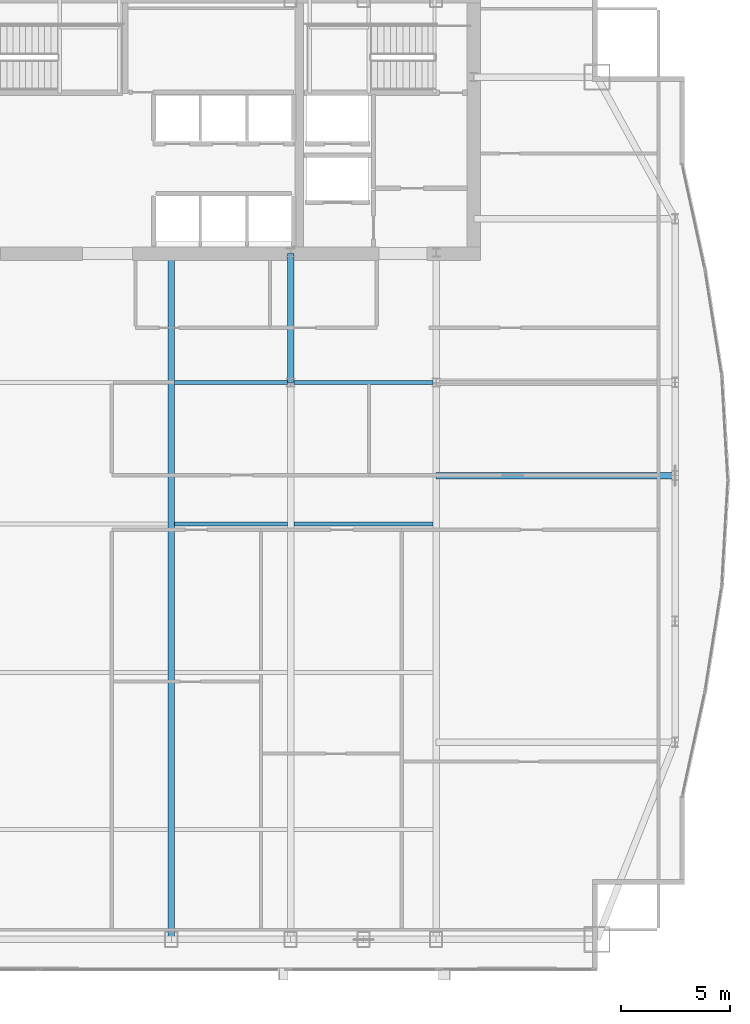
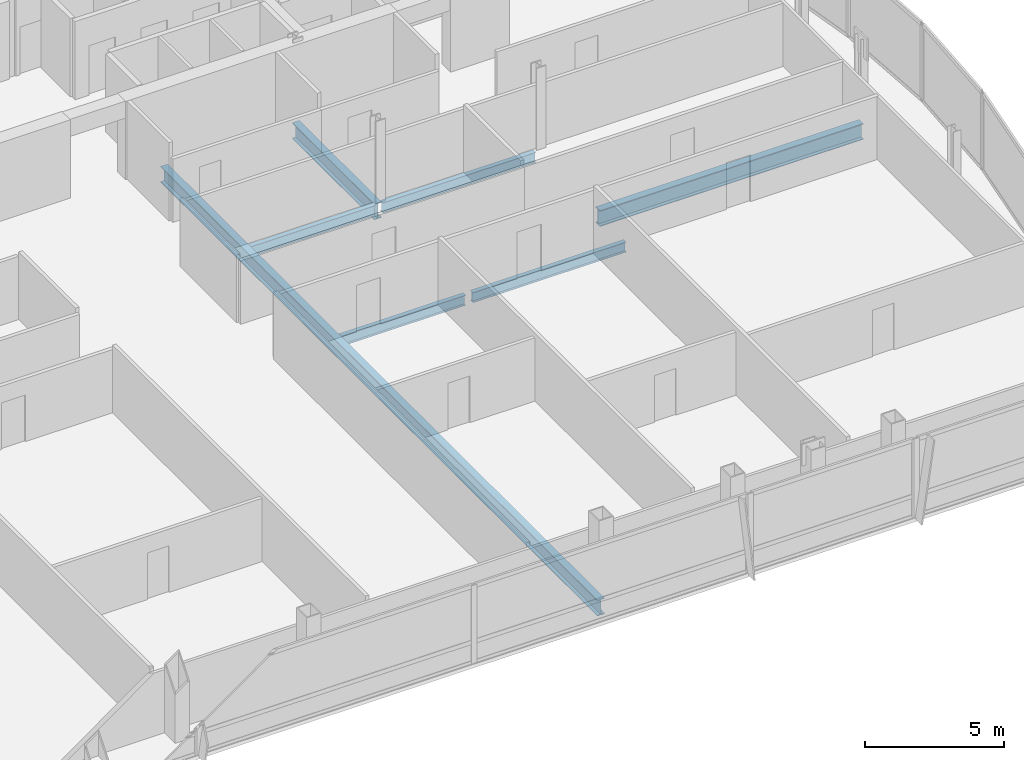
# One storey, part 17 of 30: 7 beams.
"""IFC4 building model written with IfcOpenShell, lengths in metres."""

from ifc_helpers import new_model, si_unit, direction, frame, origin, origin_2d, place, context, subcontext, project, spatial, i_section, extrude, material, material_profile, profile_set, type_object, element, save


model = new_model("IFC4")

# Units and contexts
model_context = context("Model", 3, precision=1e-05, world=origin(), true_north=direction((0.0, 1.0)))
body_context = subcontext(model_context, "Body", "Model", "MODEL_VIEW")
ifc_project = project(units=[si_unit("LENGTHUNIT", "METRE"), si_unit("AREAUNIT", "SQUARE_METRE"), si_unit("VOLUMEUNIT", "CUBIC_METRE"), si_unit("PLANEANGLEUNIT", "RADIAN"), si_unit("MASSUNIT", "GRAM", prefix="KILO")], contexts=[model_context])

# Site, building, storey
site_placement = place(None, origin())
site = spatial("IfcSite", under=ifc_project, at=site_placement, CompositionType="ELEMENT")
building_placement = place(site_placement, origin())
building = spatial("IfcBuilding", under=site, at=building_placement, Name="Khoronbel Lancet Exchange", CompositionType="ELEMENT")
storey_placement = place(building_placement, frame((0.0, 0.0, 217.39990234375)))
storey = spatial("IfcBuildingStorey", under=building, at=storey_placement, Name="L55", CompositionType="ELEMENT", Elevation=217.39990234375)

# Beams
ifc_material = material(Name="Steel S355", Category="steel")
ifc_material_profile_1 = material_profile(ifc_material, i_section(OverallWidth=0.300048828125, OverallDepth=0.699951171875, WebThickness=0.01708984375, FlangeThickness=0.031982421875, at=origin_2d()), Name="HEB 700")
ifc_profile_set_1 = profile_set([ifc_material_profile_1], Name="Steel S355")
beam_type_1 = type_object("IfcBeamType", Name="BM-BG3", PredefinedType="BEAM", material=ifc_profile_set_1)
beam_1_placement = place(storey_placement, frame((42.52490234375, 10.14990234375, -0.510009765625), z_axis=(0.0, 1.0, 0.0), x_axis=(-1.0, 0.0, 0.0)))
element("IfcBeam", 1, at=beam_1_placement, inside=storey, type_object=beam_type_1, Name="Level L55 primary floor girder G4", PredefinedType="BEAM", context=body_context, shape_type="SweptSolid", body=[
    extrude(i_section(OverallWidth=0.300048828125, OverallDepth=0.699951171875, WebThickness=0.01708984375, FlangeThickness=0.031982421875, at=origin_2d()), origin(), (0.0, 0.0, 1.0), 31.4501953125),
])
beam_2_placement = place(storey_placement, frame((48.0, 35.699951171875, -0.510009765625), z_axis=(0.0, 1.0, 0.0), x_axis=(-1.0, 0.0, 0.0)))
element("IfcBeam", 2, at=beam_2_placement, inside=storey, type_object=beam_type_1, Name="Level L55 spine tie girder GN5", PredefinedType="BEAM", context=body_context, shape_type="SweptSolid", body=[
    extrude(i_section(OverallWidth=0.300048828125, OverallDepth=0.699951171875, WebThickness=0.01708984375, FlangeThickness=0.031982421875, at=origin_2d()), origin(), (0.0, 0.0, 1.0), 5.900146484375),
])
beam_3_placement = place(storey_placement, frame((54.675048828125, 31.425048828125, -0.510009765625), z_axis=(1.0, 0.0, 0.0), x_axis=(0.0, 1.0, 0.0)))
element("IfcBeam", 3, at=beam_3_placement, inside=storey, type_object=beam_type_1, Name="Level L55 east lens tie girder LG2E", PredefinedType="BEAM", context=body_context, shape_type="SweptSolid", body=[
    extrude(i_section(OverallWidth=0.300048828125, OverallDepth=0.699951171875, WebThickness=0.01708984375, FlangeThickness=0.031982421875, at=origin_2d()), origin(), (0.0, 0.0, 1.0), 10.954833984375),
])
ifc_material_profile_2 = material_profile(ifc_material, i_section(OverallWidth=0.18994140625, OverallDepth=0.449951171875, WebThickness=0.009521484375, FlangeThickness=0.0146484375, at=origin_2d()), Name="IPE 450")
ifc_profile_set_2 = profile_set([ifc_material_profile_2], Name="Steel S355")
beam_type_2 = type_object("IfcBeamType", Name="BM-BJ4", PredefinedType="JOIST", material=ifc_profile_set_2)
beam_4_placement = place(storey_placement, frame((42.675048828125, 29.199951171875, -0.385009765625), z_axis=(1.0, 0.0, 0.0), x_axis=(0.0, 1.0, 0.0)))
element("IfcBeam", 4, at=beam_4_placement, inside=storey, type_object=beam_type_2, Name="Level L55 secondary composite joist J14", PredefinedType="JOIST", context=body_context, shape_type="SweptSolid", body=[
    extrude(i_section(OverallWidth=0.18994140625, OverallDepth=0.449951171875, WebThickness=0.009521484375, FlangeThickness=0.0146484375, at=origin_2d()), origin(), (0.0, 0.0, 1.0), 5.175048828125),
])
beam_5_placement = place(storey_placement, frame((48.14990234375, 29.199951171875, -0.385009765625), z_axis=(1.0, 0.0, 0.0), x_axis=(0.0, 1.0, 0.0)))
element("IfcBeam", 5, at=beam_5_placement, inside=storey, type_object=beam_type_2, Name="Level L55 secondary composite joist J15", PredefinedType="JOIST", context=body_context, shape_type="SweptSolid", body=[
    extrude(i_section(OverallWidth=0.18994140625, OverallDepth=0.449951171875, WebThickness=0.009521484375, FlangeThickness=0.0146484375, at=origin_2d()), origin(), (0.0, 0.0, 1.0), 6.375),
])
beam_6_placement = place(storey_placement, frame((42.675048828125, 35.699951171875, -0.385009765625), z_axis=(1.0, 0.0, 0.0), x_axis=(0.0, 1.0, 0.0)))
element("IfcBeam", 6, at=beam_6_placement, inside=storey, type_object=beam_type_2, Name="Level L55 secondary composite joist J19", PredefinedType="JOIST", context=body_context, shape_type="SweptSolid", body=[
    extrude(i_section(OverallWidth=0.18994140625, OverallDepth=0.449951171875, WebThickness=0.009521484375, FlangeThickness=0.0146484375, at=origin_2d()), origin(), (0.0, 0.0, 1.0), 5.175048828125),
])
beam_7_placement = place(storey_placement, frame((48.14990234375, 35.699951171875, -0.385009765625), z_axis=(1.0, 0.0, 0.0), x_axis=(0.0, 1.0, 0.0)))
element("IfcBeam", 7, at=beam_7_placement, inside=storey, type_object=beam_type_2, Name="Level L55 secondary composite joist J20", PredefinedType="JOIST", context=body_context, shape_type="SweptSolid", body=[
    extrude(i_section(OverallWidth=0.18994140625, OverallDepth=0.449951171875, WebThickness=0.009521484375, FlangeThickness=0.0146484375, at=origin_2d()), origin(), (0.0, 0.0, 1.0), 6.375),
])

save(model, "model.ifc")
